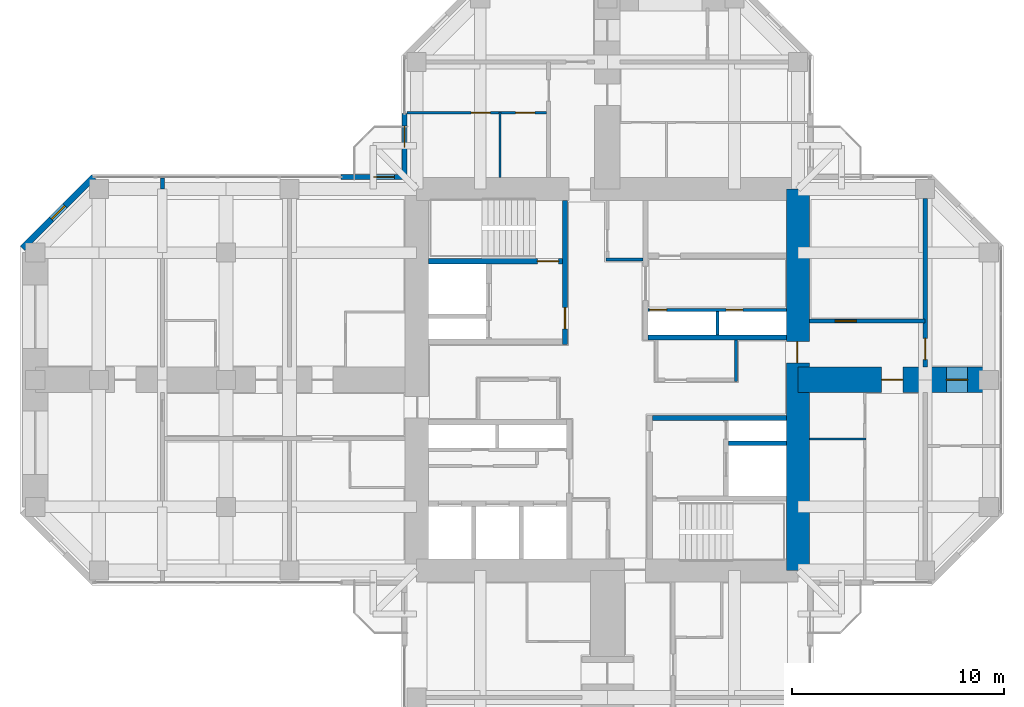
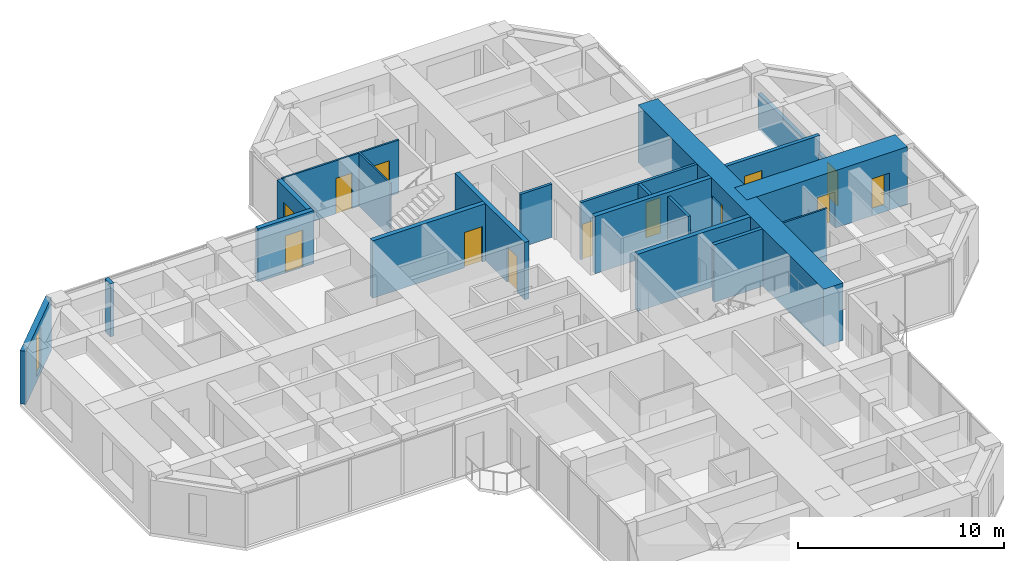
# One storey, part 11 of 14: 20 walls, 13 doors, 1 window, 14 openings.
"""IFC4 building model written with IfcOpenShell, lengths in metres."""

from ifc_helpers import new_model, si_unit, direction, frame, frame_2d, origin, place, context, subcontext, project, spatial, rectangle, hollow_rectangle, extrude, material, layer, layer_set, constituent, constituent_set, type_object, element, fill, save


model = new_model("IFC4")

# Units and contexts
model_context = context("Model", 3, precision=1e-05, world=origin(), true_north=direction((0.0, 1.0)))
body_context = subcontext(model_context, "Body", "Model", "MODEL_VIEW")
ifc_project = project(units=[si_unit("LENGTHUNIT", "METRE"), si_unit("AREAUNIT", "SQUARE_METRE"), si_unit("VOLUMEUNIT", "CUBIC_METRE"), si_unit("PLANEANGLEUNIT", "RADIAN"), si_unit("MASSUNIT", "GRAM", prefix="KILO")], contexts=[model_context])

# Site, building, storey
site_placement = place(None, origin())
site = spatial("IfcSite", under=ifc_project, at=site_placement, CompositionType="ELEMENT")
building_placement = place(site_placement, origin())
building = spatial("IfcBuilding", under=site, at=building_placement, Name="Torre Cruceta", CompositionType="ELEMENT")
storey_placement = place(building_placement, frame((0.0, 0.0, 213.699951171875)))
storey = spatial("IfcBuildingStorey", under=building, at=storey_placement, Name="L54", CompositionType="ELEMENT", Elevation=213.699951171875)

# Wall
ifc_material_1 = material(Name="Water-resistant plasterboard on steel studs", Category="steel")
ifc_layer_1 = layer(ifc_material_1, 0.10009765625)
ifc_layer_set_1 = layer_set([ifc_layer_1], Name="Water-resistant plasterboard on steel studs")
wall_type_1 = type_object("IfcWallType", Name="BATHROOM WALL 100", PredefinedType="PARTITIONING", material=ifc_layer_set_1)
wall_1_placement = place(storey_placement, frame((-5.074951171875, 9.550048828125, 0.0), z_axis=(0.0, 0.0, 1.0), x_axis=(0.0, 1.0, 0.0)))
element("IfcWall", 1, at=wall_1_placement, inside=storey, type_object=wall_type_1, Name="PT4 L54-N-U1LBB", PredefinedType="PARTITIONING", context=body_context, shape_type="SweptSolid", body=[
    extrude(rectangle(XDim=3.099853515625, YDim=0.10009765625, at=frame_2d((1.5498046875, 0.0))), origin(), (0.0, 0.0, 1.0), 3.150146484375),
])

# Wall, openings, doors
wall_2_placement = place(storey_placement, frame((-2.875, 12.60009765625, 0.0), z_axis=(0.0, 0.0, 1.0), x_axis=(-1.0, 0.0, 0.0)))
wall_2 = element("IfcWall", 2, at=wall_2_placement, inside=storey, type_object=wall_type_1, Name="PT4 L54-N-U1LBS", PredefinedType="PARTITIONING", context=body_context, shape_type="SweptSolid", body=[
    extrude(rectangle(XDim=6.570068359375, YDim=0.10009765625, at=frame_2d((3.28515625, 0.0))), origin(), (0.0, 0.0, 1.0), 3.150146484375),
])
opening_1_placement = place(wall_2_placement, frame((0.550048828125, 0.0, 0.0)))
opening_1 = element("IfcOpeningElement", 3, at=opening_1_placement, cuts=wall_2, Name="Opening D7", PredefinedType="OPENING", context=body_context, shape_type="SweptSolid", body=[
    extrude(rectangle(XDim=0.89990234375, YDim=2.10009765625, at=frame_2d((0.449951171875, 1.050048828125))), frame((0.0, 0.06005859375, 0.0), z_axis=(0.0, -1.0, 0.0), x_axis=(1.0, 0.0, 0.0)), (0.0, 0.0, 1.0), 0.1201171875),
])
opening_2_placement = place(wall_2_placement, frame((2.64990234375, 0.0, 0.0)))
opening_2 = element("IfcOpeningElement", 4, at=opening_2_placement, cuts=wall_2, Name="Opening D7", PredefinedType="OPENING", context=body_context, shape_type="SweptSolid", body=[
    extrude(rectangle(XDim=0.89990234375, YDim=2.10009765625, at=frame_2d((0.449951171875, 1.050048828125))), frame((0.0, 0.06005859375, 0.0), z_axis=(0.0, -1.0, 0.0), x_axis=(1.0, 0.0, 0.0)), (0.0, 0.0, 1.0), 0.1201171875),
])
ifc_material_2 = material(Name="Timber door", Category="wood")
door_type_1 = type_object("IfcDoorType", Name="BATHROOM DOOR 900X2100", OperationType="SINGLE_SWING_LEFT", PredefinedType="DOOR", material=ifc_material_2)
door_1_placement = place(opening_1_placement, origin())
door_1 = element("IfcDoor", 5, at=door_1_placement, inside=storey, type_object=door_type_1, Name="D7 L54-N-U1LBS-D1", OperationType="SINGLE_SWING_LEFT", OverallHeight=2.10009765625, OverallWidth=0.89990234375, PredefinedType="DOOR", context=body_context, shape_type="SweptSolid", body=[
    extrude(rectangle(XDim=0.89990234375, YDim=2.10009765625, at=frame_2d((0.449951171875, 1.050048828125))), frame((0.0, 0.02490234375, 0.0), z_axis=(0.0, -1.0, 0.0), x_axis=(1.0, 0.0, 0.0)), (0.0, 0.0, 1.0), 0.050048828125),
])
fill(opening_1, door_1)
door_2_placement = place(opening_2_placement, origin())
door_2 = element("IfcDoor", 6, at=door_2_placement, inside=storey, type_object=door_type_1, Name="D7 L54-N-U1LBS-D2", OperationType="SINGLE_SWING_LEFT", OverallHeight=2.10009765625, OverallWidth=0.89990234375, PredefinedType="DOOR", context=body_context, shape_type="SweptSolid", body=[
    extrude(rectangle(XDim=0.89990234375, YDim=2.10009765625, at=frame_2d((0.449951171875, 1.050048828125))), frame((0.0, 0.02490234375, 0.0), z_axis=(0.0, -1.0, 0.0), x_axis=(1.0, 0.0, 0.0)), (0.0, 0.0, 1.0), 0.050048828125),
])
fill(opening_2, door_2)

# Walls
wall_3_placement = place(storey_placement, frame((9.550048828125, -2.800048828125, 0.0), z_axis=(0.0, 0.0, 1.0), x_axis=(1.0, 0.0, 0.0)))
element("IfcWall", 7, at=wall_3_placement, inside=storey, type_object=wall_type_1, Name="PT4 L54-E-U1RBB", PredefinedType="PARTITIONING", context=body_context, shape_type="SweptSolid", body=[
    extrude(rectangle(XDim=2.64990234375, YDim=0.10009765625, at=frame_2d((1.324951171875, 0.0))), origin(), (0.0, 0.0, 1.0), 3.150146484375),
])
ifc_material_3 = material(Name="Concrete G60 (fck 60 MPa)", Category="concrete")
ifc_layer_2 = layer(ifc_material_3, 0.25)
ifc_layer_set_2 = layer_set([ifc_layer_2], Name="Concrete G60 (fck 60 MPa)")
wall_type_2 = type_object("IfcWallType", Name="CORE INNER WALL 250 G60", PredefinedType="SHEAR", material=ifc_layer_set_2)
wall_4_placement = place(storey_placement, frame((1.925048828125, 2.0, 0.0), z_axis=(0.0, 0.0, 1.0), x_axis=(1.0, 0.0, 0.0)))
element("IfcWall", 8, at=wall_4_placement, inside=storey, type_object=wall_type_2, Name="CW4 L54 NE-CV", PredefinedType="SHEAR", context=body_context, shape_type="SweptSolid", body=[
    extrude(rectangle(XDim=6.52490234375, YDim=0.25, at=frame_2d((3.262451171875, 0.0))), origin(), (0.0, 0.0, 1.0), 3.400146484375),
])

# Wall, opening, door
wall_5_placement = place(storey_placement, frame((-2.0, 1.675048828125, 0.0), z_axis=(0.0, 0.0, 1.0), x_axis=(0.0, 1.0, 0.0)))
wall_5 = element("IfcWall", 9, at=wall_5_placement, inside=storey, type_object=wall_type_2, Name="CW4 L54 NW-CU", PredefinedType="SHEAR", context=body_context, shape_type="SweptSolid", body=[
    extrude(rectangle(XDim=6.77490234375, YDim=0.25, at=frame_2d((3.387451171875, 0.0))), origin(), (0.0, 0.0, 1.0), 3.400146484375),
])
opening_3_placement = place(wall_5_placement, frame((0.72509765625, 0.0, 0.0)))
opening_3 = element("IfcOpeningElement", 10, at=opening_3_placement, cuts=wall_5, Name="Opening D3", PredefinedType="OPENING", context=body_context, shape_type="SweptSolid", body=[
    extrude(rectangle(XDim=1.0, YDim=2.10009765625, at=frame_2d((0.5, 1.050048828125))), frame((0.0, 0.135009765625, 0.0), z_axis=(0.0, -1.0, 0.0), x_axis=(1.0, 0.0, 0.0)), (0.0, 0.0, 1.0), 0.27001953125),
])
ifc_material_4 = material(Name="Steel DX51D", Category="steel")
ifc_constituent_1 = constituent(ifc_material_4, Name="Leaf and frame")
ifc_material_5 = material(Name="Polyester powder coating", Category="paint")
ifc_constituent_2 = constituent(ifc_material_5, Name="Finish")
ifc_constituent_set_1 = constituent_set(constituents=[ifc_constituent_1, ifc_constituent_2], Name="Steel fire door")
door_type_2 = type_object("IfcDoorType", Name="FIRE DOOR 1000X2100", OperationType="SINGLE_SWING_LEFT", PredefinedType="DOOR", material=ifc_constituent_set_1)
door_3_placement = place(opening_3_placement, origin())
door_3 = element("IfcDoor", 11, at=door_3_placement, inside=storey, type_object=door_type_2, Name="D3 L54 NW-LOBBY", OperationType="SINGLE_SWING_LEFT", OverallHeight=2.10009765625, OverallWidth=1.0, PredefinedType="DOOR", context=body_context, shape_type="SweptSolid", body=[
    extrude(rectangle(XDim=1.0, YDim=2.10009765625, at=frame_2d((0.5, 1.050048828125))), frame((0.0, 0.02490234375, 0.0), z_axis=(0.0, -1.0, 0.0), x_axis=(1.0, 0.0, 0.0)), (0.0, 0.0, 1.0), 0.050048828125),
])
fill(opening_3, door_3)

wall_6_placement = place(storey_placement, frame((-2.125, 5.60009765625, 0.0), z_axis=(0.0, 0.0, 1.0), x_axis=(-1.0, 0.0, 0.0)))
wall_6 = element("IfcWall", 12, at=wall_6_placement, inside=storey, type_object=wall_type_2, Name="CW4 L54 NW-SV", PredefinedType="SHEAR", context=body_context, shape_type="SweptSolid", body=[
    extrude(rectangle(XDim=6.324951171875, YDim=0.25, at=frame_2d((3.16259765625, 0.0))), origin(), (0.0, 0.0, 1.0), 3.400146484375),
])
opening_4_placement = place(wall_6_placement, frame((0.175048828125, 0.0, 0.0)))
opening_4 = element("IfcOpeningElement", 13, at=opening_4_placement, cuts=wall_6, Name="Opening D3", PredefinedType="OPENING", context=body_context, shape_type="SweptSolid", body=[
    extrude(rectangle(XDim=1.0, YDim=2.10009765625, at=frame_2d((0.5, 1.050048828125))), frame((0.0, 0.135009765625, 0.0), z_axis=(0.0, -1.0, 0.0), x_axis=(1.0, 0.0, 0.0)), (0.0, 0.0, 1.0), 0.27001953125),
])
door_4_placement = place(opening_4_placement, frame((1.0, 0.0, 0.0), z_axis=(0.0, 0.0, 1.0), x_axis=(-1.0, 0.0, 0.0)))
door_4 = element("IfcDoor", 14, at=door_4_placement, inside=storey, type_object=door_type_2, Name="D3 L54 NW-STAIR", OperationType="SINGLE_SWING_RIGHT", OverallHeight=2.10009765625, OverallWidth=1.0, PredefinedType="DOOR", context=body_context, shape_type="SweptSolid", body=[
    extrude(rectangle(XDim=1.0, YDim=2.10009765625, at=frame_2d((0.5, 1.050048828125))), frame((0.0, 0.025146484375, 0.0), z_axis=(0.0, -1.0, 0.0), x_axis=(1.0, 0.0, 0.0)), (0.0, 0.0, 1.0), 0.050048828125),
])
fill(opening_4, door_4)

# Wall
wall_7_placement = place(storey_placement, frame((2.125, -1.800048828125, 0.0), z_axis=(0.0, 0.0, 1.0), x_axis=(1.0, 0.0, 0.0)))
element("IfcWall", 15, at=wall_7_placement, inside=storey, type_object=wall_type_2, Name="CW4 L54 SE-CV", PredefinedType="SHEAR", context=body_context, shape_type="SweptSolid", body=[
    extrude(rectangle(XDim=6.324951171875, YDim=0.25, at=frame_2d((3.16259765625, 0.0))), origin(), (0.0, 0.0, 1.0), 3.400146484375),
])

# Wall, opening, door
ifc_material_6 = material(Name="Concrete G60 (fck 60 MPa)", Category="concrete")
ifc_layer_3 = layer(ifc_material_6, 1.10009765625)
ifc_layer_set_3 = layer_set([ifc_layer_3], Name="Concrete G60 (fck 60 MPa)")
wall_type_3 = type_object("IfcWallType", Name="CORE WALL 1100 G60", PredefinedType="SHEAR", material=ifc_layer_set_3)
wall_8_placement = place(storey_placement, frame((9.0, -9.0, 0.0), z_axis=(0.0, 0.0, 1.0), x_axis=(0.0, 1.0, 0.0)))
wall_8 = element("IfcWall", 16, at=wall_8_placement, inside=storey, type_object=wall_type_3, Name="CW2 L54 CW-E", PredefinedType="SHEAR", context=body_context, shape_type="SweptSolid", body=[
    extrude(rectangle(XDim=18.0, YDim=1.10009765625, at=frame_2d((9.0, 0.0))), origin(), (0.0, 0.0, 1.0), 3.400146484375),
])
opening_5_placement = place(wall_8_placement, frame((9.800048828125, 0.0, 0.0)))
opening_5 = element("IfcOpeningElement", 17, at=opening_5_placement, cuts=wall_8, Name="Opening D4", PredefinedType="OPENING", context=body_context, shape_type="SweptSolid", body=[
    extrude(rectangle(XDim=1.0, YDim=2.39990234375, at=frame_2d((0.5, 1.199951171875))), frame((0.0, 0.56005859375, 0.0), z_axis=(0.0, -1.0, 0.0), x_axis=(1.0, 0.0, 0.0)), (0.0, 0.0, 1.0), 1.1201171875),
])
ifc_material_7 = material(Name="Steel DX51D", Category="steel")
ifc_constituent_3 = constituent(ifc_material_7, Name="Leaf and frame")
ifc_material_8 = material(Name="Polyester powder coating", Category="paint")
ifc_constituent_4 = constituent(ifc_material_8, Name="Finish")
ifc_constituent_set_2 = constituent_set(constituents=[ifc_constituent_3, ifc_constituent_4], Name="Steel fire door")
door_type_3 = type_object("IfcDoorType", Name="CORE ARM DOOR 1000X2400", OperationType="SINGLE_SWING_RIGHT", PredefinedType="DOOR", material=ifc_constituent_set_2)
door_5_placement = place(opening_5_placement, origin())
door_5 = element("IfcDoor", 18, at=door_5_placement, inside=storey, type_object=door_type_3, Name="D4 L54 CW-E", OperationType="SINGLE_SWING_RIGHT", OverallHeight=2.39990234375, OverallWidth=1.0, PredefinedType="DOOR", context=body_context, shape_type="SweptSolid", body=[
    extrude(rectangle(XDim=1.0, YDim=2.39990234375, at=frame_2d((0.5, 1.199951171875))), frame((0.0, 0.05517578125, 0.0), z_axis=(0.0, -1.0, 0.0), x_axis=(1.0, 0.0, 0.0)), (0.0, 0.0, 1.0), 0.050048828125),
])
fill(opening_5, door_5)

ifc_material_9 = material(Name="Concrete G25 (fck 25 MPa)", Category="concrete")
ifc_layer_4 = layer(ifc_material_9, 0.199951171875)
ifc_layer_set_4 = layer_set([ifc_layer_4], Name="Concrete G25 (fck 25 MPa)")
wall_type_4 = type_object("IfcWallType", Name="CORRIDOR WALL 200", PredefinedType="SOLIDWALL", material=ifc_layer_set_4)
wall_9_placement = place(storey_placement, frame((9.550048828125, 2.77490234375, 0.0), z_axis=(0.0, 0.0, 1.0), x_axis=(1.0, 0.0, 0.0)))
wall_9 = element("IfcWall", 19, at=wall_9_placement, inside=storey, type_object=wall_type_4, Name="PT3 L54-E-CL", PredefinedType="SOLIDWALL", context=body_context, shape_type="SweptSolid", body=[
    extrude(rectangle(XDim=5.449951171875, YDim=0.199951171875, at=frame_2d((2.72509765625, 0.0))), origin(), (0.0, 0.0, 1.0), 3.150146484375),
])
opening_6_placement = place(wall_9_placement, frame((1.199951171875, 0.0, 0.0)))
opening_6 = element("IfcOpeningElement", 20, at=opening_6_placement, cuts=wall_9, Name="Opening D14", PredefinedType="OPENING", context=body_context, shape_type="SweptSolid", body=[
    extrude(rectangle(XDim=1.0, YDim=2.199951171875, at=frame_2d((0.5, 1.10009765625))), frame((0.0, 0.10986328125, 0.0), z_axis=(0.0, -1.0, 0.0), x_axis=(1.0, 0.0, 0.0)), (0.0, 0.0, 1.0), 0.219970703125),
])
ifc_material_10 = material(Name="Steel DX51D", Category="steel")
ifc_constituent_5 = constituent(ifc_material_10, Name="Leaf and frame")
ifc_material_11 = material(Name="Polyester powder coating", Category="paint")
ifc_constituent_6 = constituent(ifc_material_11, Name="Finish")
ifc_material_12 = material(Name="Fire-resisting glass", Category="glass")
ifc_constituent_7 = constituent(ifc_material_12, Name="Vision panel")
ifc_constituent_set_3 = constituent_set(constituents=[ifc_constituent_5, ifc_constituent_6, ifc_constituent_7], Name="Steel fire door with vision panel")
door_type_4 = type_object("IfcDoorType", Name="FIRE DOOR VISION PANEL 1000X2200", OperationType="SINGLE_SWING_RIGHT", PredefinedType="DOOR", material=ifc_constituent_set_3)
door_6_placement = place(opening_6_placement, origin())
door_6 = element("IfcDoor", 21, at=door_6_placement, inside=storey, type_object=door_type_4, Name="D14 L54-E-CL-D1", OperationType="SINGLE_SWING_LEFT", OverallHeight=2.199951171875, OverallWidth=1.0, PredefinedType="DOOR", context=body_context, shape_type="SweptSolid", body=[
    extrude(rectangle(XDim=1.0, YDim=2.199951171875, at=frame_2d((0.5, 1.10009765625))), frame((0.0, 0.02490234375, 0.0), z_axis=(0.0, -1.0, 0.0), x_axis=(1.0, 0.0, 0.0)), (0.0, 0.0, 1.0), 0.050048828125),
])
fill(opening_6, door_6)

# Wall, opening, window
ifc_material_13 = material(Name="Concrete G30 (fck 30 MPa)", Category="concrete")
ifc_layer_5 = layer(ifc_material_13, 0.300048828125)
ifc_layer_set_5 = layer_set([ifc_layer_5], Name="Concrete G30 (fck 30 MPa)")
wall_type_5 = type_object("IfcWallType", Name="EXPOSED CONCRETE FACADE WALL 300", PredefinedType="SOLIDWALL", material=ifc_layer_set_5)
wall_10_placement = place(storey_placement, frame((-24.236083984375, 9.570068359375, 0.0), z_axis=(0.0, 0.0, 1.0), x_axis=(-0.707106781187, -0.707106781187, 0.0)))
wall_10 = element("IfcWall", 22, at=wall_10_placement, inside=storey, type_object=wall_type_5, Name="EW1 facade wall L54 W chamfer 11", PredefinedType="SOLIDWALL", context=body_context, shape_type="SweptSolid", body=[
    extrude(rectangle(XDim=4.75732421875, YDim=0.300048828125, at=frame_2d((2.378662109375, 0.0))), origin(), (0.0, 0.0, 1.0), 3.150146484375),
])
opening_7_placement = place(wall_10_placement, frame((1.9287109375, 0.0, 0.300048828125)))
opening_7 = element("IfcOpeningElement", 23, at=opening_7_placement, cuts=wall_10, Name="Opening WN5", PredefinedType="OPENING", context=body_context, shape_type="SweptSolid", body=[
    extrude(rectangle(XDim=0.89990234375, YDim=2.39990234375, at=frame_2d((0.449951171875, 1.199951171875))), frame((0.0, 0.159912109375, 0.0), z_axis=(0.0, -1.0, 0.0), x_axis=(1.0, 0.0, 0.0)), (0.0, 0.0, 1.0), 0.320068359375),
])
ifc_material_14 = material(Name="Aluminium window frame", Category="aluminium")
ifc_constituent_8 = constituent(ifc_material_14, Name="Frame")
ifc_material_15 = material(Name="Laminated insulating glass unit, low-iron clear", Category="glass")
ifc_constituent_9 = constituent(ifc_material_15, Name="Glazing")
ifc_constituent_set_4 = constituent_set(constituents=[ifc_constituent_8, ifc_constituent_9], Name="Aluminium window")
window_type = type_object("IfcWindowType", Name="CHAMFER SLOT WINDOW 900X2400", PartitioningType="SINGLE_PANEL", PredefinedType="WINDOW", material=ifc_constituent_set_4)
window_placement = place(opening_7_placement, origin())
window = element("IfcWindow", 24, at=window_placement, inside=storey, type_object=window_type, Name="WN5 L54 W 1", OverallHeight=2.39990234375, OverallWidth=0.89990234375, PartitioningType="SINGLE_PANEL", PredefinedType="WINDOW", context=body_context, shape_type="SweptSolid", body=[
    extrude(hollow_rectangle(XDim=0.89990234375, YDim=2.39990234375, WallThickness=0.06005859375, at=frame_2d((0.449951171875, 1.199951171875))), frame((0.0, 0.030029296875, 0.0), z_axis=(0.0, -1.0, 0.0), x_axis=(1.0, 0.0, 0.0)), (0.0, 0.0, 1.0), 0.06005859375),
    extrude(rectangle(XDim=0.77880859375, YDim=2.27880859375, at=frame_2d((0.449951171875, 1.199951171875))), frame((0.0, 0.030029296875, 0.0), z_axis=(0.0, -1.0, 0.0), x_axis=(1.0, 0.0, 0.0)), (0.0, 0.0, 1.0), 0.06005859375),
])
fill(opening_7, window)

# Walls
ifc_material_16 = material(Name="Concrete G35 (fck 35 MPa)", Category="concrete")
ifc_layer_6 = layer(ifc_material_16, 0.199951171875)
ifc_layer_set_6 = layer_set([ifc_layer_6], Name="Concrete G35 (fck 35 MPa)")
wall_type_6 = type_object("IfcWallType", Name="LIFT SHAFT WALL 200", PredefinedType="PARTITIONING", material=ifc_layer_set_6)
wall_11_placement = place(storey_placement, frame((5.72509765625, -3.0, 0.0), z_axis=(0.0, 0.0, 1.0), x_axis=(1.0, 0.0, 0.0)))
element("IfcWall", 25, at=wall_11_placement, inside=storey, type_object=wall_type_6, Name="SW1 L54 SE-FR", PredefinedType="PARTITIONING", context=body_context, shape_type="SweptSolid", body=[
    extrude(rectangle(XDim=2.724853515625, YDim=0.199951171875, at=frame_2d((1.3623046875, 0.0))), origin(), (0.0, 0.0, 1.0), 3.400146484375),
])
ifc_material_17 = material(Name="Plasterboard on steel studs", Category="steel")
ifc_layer_7 = layer(ifc_material_17, 0.14990234375)
ifc_layer_set_7 = layer_set([ifc_layer_7], Name="Plasterboard on steel studs")
wall_type_7 = type_object("IfcWallType", Name="PARTITION 150", PredefinedType="PARTITIONING", material=ifc_layer_set_7)
wall_12_placement = place(storey_placement, frame((6.074951171875, -0.074951171875, 0.0), z_axis=(0.0, 0.0, 1.0), x_axis=(0.0, 1.0, 0.0)))
element("IfcWall", 26, at=wall_12_placement, inside=storey, type_object=wall_type_7, Name="PT1 L54-CORE-LEGE-N-W3", PredefinedType="PARTITIONING", context=body_context, shape_type="SweptSolid", body=[
    extrude(rectangle(XDim=1.949951171875, YDim=0.14990234375, at=frame_2d((0.97509765625, 0.0))), origin(), (0.0, 0.0, 1.0), 3.150146484375),
])
wall_13_placement = place(storey_placement, frame((1.675048828125, 5.675048828125, 0.0), z_axis=(0.0, 0.0, 1.0), x_axis=(-1.0, 0.0, 0.0)))
element("IfcWall", 27, at=wall_13_placement, inside=storey, type_object=wall_type_7, Name="PT1 L54-CORE-LEGN-E-W2", PredefinedType="PARTITIONING", context=body_context, shape_type="SweptSolid", body=[
    extrude(rectangle(XDim=1.75, YDim=0.14990234375, at=frame_2d((0.875, 0.0))), origin(), (0.0, 0.0, 1.0), 3.150146484375),
])

# Wall, openings, doors
ifc_material_18 = material(Name="Concrete block masonry", Category="masonry")
ifc_layer_8 = layer(ifc_material_18, 0.14990234375)
ifc_layer_set_8 = layer_set([ifc_layer_8], Name="Concrete block masonry")
wall_type_8 = type_object("IfcWallType", Name="RISER WALL 150", PredefinedType="PARTITIONING", material=ifc_layer_set_8)
wall_14_placement = place(storey_placement, frame((1.925048828125, 3.300048828125, 0.0), z_axis=(0.0, 0.0, 1.0), x_axis=(1.0, 0.0, 0.0)))
wall_14 = element("IfcWall", 28, at=wall_14_placement, inside=storey, type_object=wall_type_8, Name="SW7 L54 NE-RV", PredefinedType="PARTITIONING", context=body_context, shape_type="SweptSolid", body=[
    extrude(rectangle(XDim=6.52490234375, YDim=0.14990234375, at=frame_2d((3.262451171875, 0.0))), origin(), (0.0, 0.0, 1.0), 3.400146484375),
])
opening_8_placement = place(wall_14_placement, frame((0.074951171875, 0.0, 0.0)))
opening_8 = element("IfcOpeningElement", 29, at=opening_8_placement, cuts=wall_14, Name="Opening D5", PredefinedType="OPENING", context=body_context, shape_type="SweptSolid", body=[
    extrude(rectangle(XDim=0.800048828125, YDim=2.10009765625, at=frame_2d((0.39990234375, 1.050048828125))), frame((0.0, 0.0849609375, 0.0), z_axis=(0.0, -1.0, 0.0), x_axis=(1.0, 0.0, 0.0)), (0.0, 0.0, 1.0), 0.169921875),
])
opening_9_placement = place(wall_14_placement, frame((3.675048828125, 0.0, 0.0)))
opening_9 = element("IfcOpeningElement", 30, at=opening_9_placement, cuts=wall_14, Name="Opening D5", PredefinedType="OPENING", context=body_context, shape_type="SweptSolid", body=[
    extrude(rectangle(XDim=0.800048828125, YDim=2.10009765625, at=frame_2d((0.39990234375, 1.050048828125))), frame((0.0, 0.0849609375, 0.0), z_axis=(0.0, -1.0, 0.0), x_axis=(1.0, 0.0, 0.0)), (0.0, 0.0, 1.0), 0.169921875),
])
ifc_material_19 = material(Name="Steel DX51D", Category="steel")
ifc_constituent_10 = constituent(ifc_material_19, Name="Leaf and frame")
ifc_material_20 = material(Name="Polyester powder coating", Category="paint")
ifc_constituent_11 = constituent(ifc_material_20, Name="Finish")
ifc_constituent_set_5 = constituent_set(constituents=[ifc_constituent_10, ifc_constituent_11], Name="Steel fire door")
door_type_5 = type_object("IfcDoorType", Name="RISER ACCESS DOOR 800X2100", OperationType="SINGLE_SWING_LEFT", PredefinedType="DOOR", material=ifc_constituent_set_5)
door_7_placement = place(opening_8_placement, frame((0.800048828125, 0.0, 0.0), z_axis=(0.0, 0.0, 1.0), x_axis=(-1.0, 0.0, 0.0)))
door_7 = element("IfcDoor", 31, at=door_7_placement, inside=storey, type_object=door_type_5, Name="D5 L54 NE-RISER1", OperationType="SINGLE_SWING_RIGHT", OverallHeight=2.10009765625, OverallWidth=0.800048828125, PredefinedType="DOOR", context=body_context, shape_type="SweptSolid", body=[
    extrude(rectangle(XDim=0.800048828125, YDim=2.10009765625, at=frame_2d((0.400146484375, 1.050048828125))), frame((0.0, 0.025146484375, 0.0), z_axis=(0.0, -1.0, 0.0), x_axis=(1.0, 0.0, 0.0)), (0.0, 0.0, 1.0), 0.050048828125),
])
fill(opening_8, door_7)
door_8_placement = place(opening_9_placement, frame((0.800048828125, 0.0, 0.0), z_axis=(0.0, 0.0, 1.0), x_axis=(-1.0, 0.0, 0.0)))
door_8 = element("IfcDoor", 32, at=door_8_placement, inside=storey, type_object=door_type_5, Name="D5 L54 NE-RISER2", OperationType="SINGLE_SWING_RIGHT", OverallHeight=2.10009765625, OverallWidth=0.800048828125, PredefinedType="DOOR", context=body_context, shape_type="SweptSolid", body=[
    extrude(rectangle(XDim=0.800048828125, YDim=2.10009765625, at=frame_2d((0.400146484375, 1.050048828125))), frame((0.0, 0.025146484375, 0.0), z_axis=(0.0, -1.0, 0.0), x_axis=(1.0, 0.0, 0.0)), (0.0, 0.0, 1.0), 0.050048828125),
])
fill(opening_9, door_8)

# Wall
wall_15_placement = place(storey_placement, frame((5.199951171875, 2.125, 0.0), z_axis=(0.0, 0.0, 1.0), x_axis=(0.0, 1.0, 0.0)))
element("IfcWall", 33, at=wall_15_placement, inside=storey, type_object=wall_type_8, Name="SW7 L54 NE-RU", PredefinedType="PARTITIONING", context=body_context, shape_type="SweptSolid", body=[
    extrude(rectangle(XDim=1.10009765625, YDim=0.14990234375, at=frame_2d((0.550048828125, 0.0))), origin(), (0.0, 0.0, 1.0), 3.400146484375),
])

# Wall, openings, doors
ifc_material_21 = material(Name="Concrete G60 (fck 60 MPa)", Category="concrete")
ifc_layer_9 = layer(ifc_material_21, 1.199951171875)
ifc_layer_set_9 = layer_set([ifc_layer_9], Name="Concrete G60 (fck 60 MPa)")
wall_type_9 = type_object("IfcWallType", Name="SPINE WALL 1200 G60", PredefinedType="SHEAR", material=ifc_layer_set_9)
wall_16_placement = place(storey_placement, frame((9.0, 0.0, 0.0), z_axis=(0.0, 0.0, 1.0), x_axis=(1.0, 0.0, 0.0)))
wall_16 = element("IfcWall", 34, at=wall_16_placement, inside=storey, type_object=wall_type_9, Name="SW3 spine wall L54 E", PredefinedType="SHEAR", context=body_context, shape_type="SweptSolid", body=[
    extrude(rectangle(XDim=9.0, YDim=1.199951171875, at=frame_2d((4.5, 0.0))), origin(), (0.0, 0.0, 1.0), 3.400146484375),
])
opening_10_placement = place(wall_16_placement, frame((3.949951171875, 0.0, 0.0)))
opening_10 = element("IfcOpeningElement", 35, at=opening_10_placement, cuts=wall_16, Name="Opening D6", PredefinedType="OPENING", context=body_context, shape_type="SweptSolid", body=[
    extrude(rectangle(XDim=1.0, YDim=2.14990234375, at=frame_2d((0.5, 1.074951171875))), frame((0.0, 0.60986328125, 0.0), z_axis=(0.0, -1.0, 0.0), x_axis=(1.0, 0.0, 0.0)), (0.0, 0.0, 1.0), 1.219970703125),
])
opening_11_placement = place(wall_16_placement, frame((7.0, 0.0, 0.0)))
opening_11 = element("IfcOpeningElement", 36, at=opening_11_placement, cuts=wall_16, Name="Opening D14", PredefinedType="OPENING", context=body_context, shape_type="SweptSolid", body=[
    extrude(rectangle(XDim=1.0, YDim=2.199951171875, at=frame_2d((0.5, 1.10009765625))), frame((0.0, 0.60986328125, 0.0), z_axis=(0.0, -1.0, 0.0), x_axis=(1.0, 0.0, 0.0)), (0.0, 0.0, 1.0), 1.219970703125),
])
door_9_placement = place(opening_11_placement, frame((1.0, 0.0, 0.0), z_axis=(0.0, 0.0, 1.0), x_axis=(-1.0, 0.0, 0.0)))
door_9 = element("IfcDoor", 37, at=door_9_placement, inside=storey, type_object=door_type_4, Name="D14 L54-E-SP2", OperationType="SINGLE_SWING_RIGHT", OverallHeight=2.199951171875, OverallWidth=1.0, PredefinedType="DOOR", context=body_context, shape_type="SweptSolid", body=[
    extrude(rectangle(XDim=1.0, YDim=2.199951171875, at=frame_2d((0.5, 1.10009765625))), frame((0.0, 0.025146484375, 0.0), z_axis=(0.0, -1.0, 0.0), x_axis=(1.0, 0.0, 0.0)), (0.0, 0.0, 1.0), 0.050048828125),
])
fill(opening_11, door_9)
ifc_material_22 = material(Name="Timber fire door", Category="wood")
door_type_6 = type_object("IfcDoorType", Name="UNIT ENTRANCE DOOR 1000X2150", OperationType="SINGLE_SWING_LEFT", PredefinedType="DOOR", material=ifc_material_22)
door_10_placement = place(opening_10_placement, frame((1.0, 0.0, 0.0), z_axis=(0.0, 0.0, 1.0), x_axis=(-1.0, 0.0, 0.0)))
door_10 = element("IfcDoor", 38, at=door_10_placement, inside=storey, type_object=door_type_6, Name="D6 L54-E-SP1", OperationType="SINGLE_SWING_RIGHT", OverallHeight=2.14990234375, OverallWidth=1.0, PredefinedType="DOOR", context=body_context, shape_type="SweptSolid", body=[
    extrude(rectangle(XDim=1.0, YDim=2.14990234375, at=frame_2d((0.5, 1.074951171875))), frame((0.0, 0.025146484375, 0.0), z_axis=(0.0, -1.0, 0.0), x_axis=(1.0, 0.0, 0.0)), (0.0, 0.0, 1.0), 0.050048828125),
])
fill(opening_10, door_10)

# Wall, opening, door
ifc_material_23 = material(Name="Concrete G25 (fck 25 MPa)", Category="concrete")
ifc_layer_10 = layer(ifc_material_23, 0.199951171875)
ifc_layer_set_10 = layer_set([ifc_layer_10], Name="Concrete G25 (fck 25 MPa)")
wall_type_10 = type_object("IfcWallType", Name="UNIT SEPARATING WALL 200", PredefinedType="SOLIDWALL", material=ifc_layer_set_10)
wall_17_placement = place(storey_placement, frame((15.0, 0.60009765625, 0.0), z_axis=(0.0, 0.0, 1.0), x_axis=(0.0, 1.0, 0.0)))
wall_17 = element("IfcWall", 39, at=wall_17_placement, inside=storey, type_object=wall_type_10, Name="PT2 L54-E-ENDb", PredefinedType="SOLIDWALL", context=body_context, shape_type="SweptSolid", body=[
    extrude(rectangle(XDim=7.949951171875, YDim=0.199951171875, at=frame_2d((3.97509765625, 0.0))), origin(), (0.0, 0.0, 1.0), 2.10009765625),
])
opening_12_placement = place(wall_17_placement, frame((0.35009765625, 0.0, 0.0)))
opening_12 = element("IfcOpeningElement", 40, at=opening_12_placement, cuts=wall_17, Name="Opening D16", PredefinedType="OPENING", context=body_context, shape_type="SweptSolid", body=[
    extrude(rectangle(XDim=1.0, YDim=2.0, at=frame_2d((0.5, 1.0))), frame((0.0, 0.10986328125, 0.0), z_axis=(0.0, -1.0, 0.0), x_axis=(1.0, 0.0, 0.0)), (0.0, 0.0, 1.0), 0.219970703125),
])
ifc_material_24 = material(Name="Steel DX51D", Category="steel")
ifc_constituent_12 = constituent(ifc_material_24, Name="Leaf and frame")
ifc_material_25 = material(Name="Polyester powder coating", Category="paint")
ifc_constituent_13 = constituent(ifc_material_25, Name="Finish")
ifc_material_26 = material(Name="Fire-resisting glass", Category="glass")
ifc_constituent_14 = constituent(ifc_material_26, Name="Vision panel")
ifc_constituent_set_6 = constituent_set(constituents=[ifc_constituent_12, ifc_constituent_13, ifc_constituent_14], Name="Steel fire door with vision panel")
door_type_7 = type_object("IfcDoorType", Name="FIRE DOOR VISION PANEL 1000X2000", OperationType="SINGLE_SWING_RIGHT", PredefinedType="DOOR", material=ifc_constituent_set_6)
door_11_placement = place(opening_12_placement, frame((1.0, 0.0, 0.0), z_axis=(0.0, 0.0, 1.0), x_axis=(-1.0, 0.0, 0.0)))
door_11 = element("IfcDoor", 41, at=door_11_placement, inside=storey, type_object=door_type_7, Name="D16 L54-E-ENDb-D1", OperationType="SINGLE_SWING_RIGHT", OverallHeight=2.0, OverallWidth=1.0, PredefinedType="DOOR", context=body_context, shape_type="SweptSolid", body=[
    extrude(rectangle(XDim=1.0, YDim=2.0, at=frame_2d((0.5, 1.0))), frame((0.0, 0.025146484375, 0.0), z_axis=(0.0, -1.0, 0.0), x_axis=(1.0, 0.0, 0.0)), (0.0, 0.0, 1.0), 0.050048828125),
])
fill(opening_12, door_11)

# Wall
wall_18_placement = place(storey_placement, frame((-21.0, 9.530029296875, 0.0), z_axis=(0.0, 0.0, 1.0), x_axis=(0.0, -1.0, 0.0)))
element("IfcWall", 42, at=wall_18_placement, inside=storey, type_object=wall_type_10, Name="PT2 L54-W-ENDa", PredefinedType="SOLIDWALL", context=body_context, shape_type="SweptSolid", body=[
    extrude(rectangle(XDim=0.530029296875, YDim=0.199951171875, at=frame_2d((0.26513671875, 0.0))), origin(), (0.0, 0.0, 1.0), 3.150146484375),
])

# Wall, opening, door
ifc_material_27 = material(Name="Concrete G30 (fck 30 MPa)", Category="concrete")
ifc_layer_11 = layer(ifc_material_27, 0.25)
ifc_layer_set_11 = layer_set([ifc_layer_11], Name="Concrete G30 (fck 30 MPa)")
wall_type_11 = type_object("IfcWallType", Name="WINTER GARDEN WALL 250", PredefinedType="SOLIDWALL", material=ifc_layer_set_11)
wall_19_placement = place(storey_placement, frame((-9.570068359375, 12.570068359375, 0.0), z_axis=(0.0, 0.0, 1.0), x_axis=(0.0, -1.0, 0.0)))
wall_19 = element("IfcWall", 43, at=wall_19_placement, inside=storey, type_object=wall_type_11, Name="EW2 winter garden wall L54 09", PredefinedType="SOLIDWALL", context=body_context, shape_type="SweptSolid", body=[
    extrude(rectangle(XDim=2.875, YDim=0.25, at=frame_2d((1.4375, 0.0))), origin(), (0.0, 0.0, 1.0), 3.150146484375),
])
opening_13_placement = place(wall_19_placement, frame((0.60009765625, 0.0, 0.0)))
opening_13 = element("IfcOpeningElement", 44, at=opening_13_placement, cuts=wall_19, Name="Opening D10", PredefinedType="OPENING", context=body_context, shape_type="SweptSolid", body=[
    extrude(rectangle(XDim=1.0, YDim=2.199951171875, at=frame_2d((0.5, 1.10009765625))), frame((0.0, 0.135009765625, 0.0), z_axis=(0.0, -1.0, 0.0), x_axis=(1.0, 0.0, 0.0)), (0.0, 0.0, 1.0), 0.27001953125),
])
ifc_material_28 = material(Name="Aluminium door frame", Category="aluminium")
ifc_constituent_15 = constituent(ifc_material_28, Name="Frame")
ifc_material_29 = material(Name="Laminated safety glass", Category="glass")
ifc_constituent_16 = constituent(ifc_material_29, Name="Glazing")
ifc_constituent_set_7 = constituent_set(constituents=[ifc_constituent_15, ifc_constituent_16], Name="Aluminium glazed door")
door_type_8 = type_object("IfcDoorType", Name="BALCONY DOOR 1000X2200", OperationType="SINGLE_SWING_RIGHT", PredefinedType="DOOR", material=ifc_constituent_set_7)
door_12_placement = place(opening_13_placement, origin())
door_12 = element("IfcDoor", 45, at=door_12_placement, inside=storey, type_object=door_type_8, Name="D10 balcony door L54 09", OperationType="SINGLE_SWING_LEFT", OverallHeight=2.199951171875, OverallWidth=1.0, PredefinedType="DOOR", context=body_context, shape_type="SweptSolid", body=[
    extrude(hollow_rectangle(XDim=1.0, YDim=2.199951171875, WallThickness=0.06005859375, at=frame_2d((0.5, 1.10009765625))), frame((0.0, 0.02490234375, 0.0), z_axis=(0.0, -1.0, 0.0), x_axis=(1.0, 0.0, 0.0)), (0.0, 0.0, 1.0), 0.050048828125),
    extrude(rectangle(XDim=0.87890625, YDim=2.078857421875, at=frame_2d((0.5, 1.10009765625))), frame((0.0, 0.02490234375, 0.0), z_axis=(0.0, -1.0, 0.0), x_axis=(1.0, 0.0, 0.0)), (0.0, 0.0, 1.0), 0.050048828125),
])
fill(opening_13, door_12)

wall_20_placement = place(storey_placement, frame((-9.445068359375, 9.570068359375, 0.0), z_axis=(0.0, 0.0, 1.0), x_axis=(-1.0, 0.0, 0.0)))
wall_20 = element("IfcWall", 46, at=wall_20_placement, inside=storey, type_object=wall_type_11, Name="EW2 winter garden wall L54 10", PredefinedType="SOLIDWALL", context=body_context, shape_type="SweptSolid", body=[
    extrude(rectangle(XDim=3.125, YDim=0.25, at=frame_2d((1.5625, 0.0))), origin(), (0.0, 0.0, 1.0), 3.150146484375),
])
opening_14_placement = place(wall_20_placement, frame((0.60009765625, 0.0, 0.0)))
opening_14 = element("IfcOpeningElement", 47, at=opening_14_placement, cuts=wall_20, Name="Opening D10", PredefinedType="OPENING", context=body_context, shape_type="SweptSolid", body=[
    extrude(rectangle(XDim=1.0, YDim=2.199951171875, at=frame_2d((0.5, 1.10009765625))), frame((0.0, 0.135009765625, 0.0), z_axis=(0.0, -1.0, 0.0), x_axis=(1.0, 0.0, 0.0)), (0.0, 0.0, 1.0), 0.27001953125),
])
door_13_placement = place(opening_14_placement, origin())
door_13 = element("IfcDoor", 48, at=door_13_placement, inside=storey, type_object=door_type_8, Name="D10 balcony door L54 10", OperationType="SINGLE_SWING_LEFT", OverallHeight=2.199951171875, OverallWidth=1.0, PredefinedType="DOOR", context=body_context, shape_type="SweptSolid", body=[
    extrude(hollow_rectangle(XDim=1.0, YDim=2.199951171875, WallThickness=0.06005859375, at=frame_2d((0.5, 1.10009765625))), frame((0.0, 0.02490234375, 0.0), z_axis=(0.0, -1.0, 0.0), x_axis=(1.0, 0.0, 0.0)), (0.0, 0.0, 1.0), 0.050048828125),
    extrude(rectangle(XDim=0.87890625, YDim=2.078857421875, at=frame_2d((0.5, 1.10009765625))), frame((0.0, 0.02490234375, 0.0), z_axis=(0.0, -1.0, 0.0), x_axis=(1.0, 0.0, 0.0)), (0.0, 0.0, 1.0), 0.050048828125),
])
fill(opening_14, door_13)

save(model, "model.ifc")
